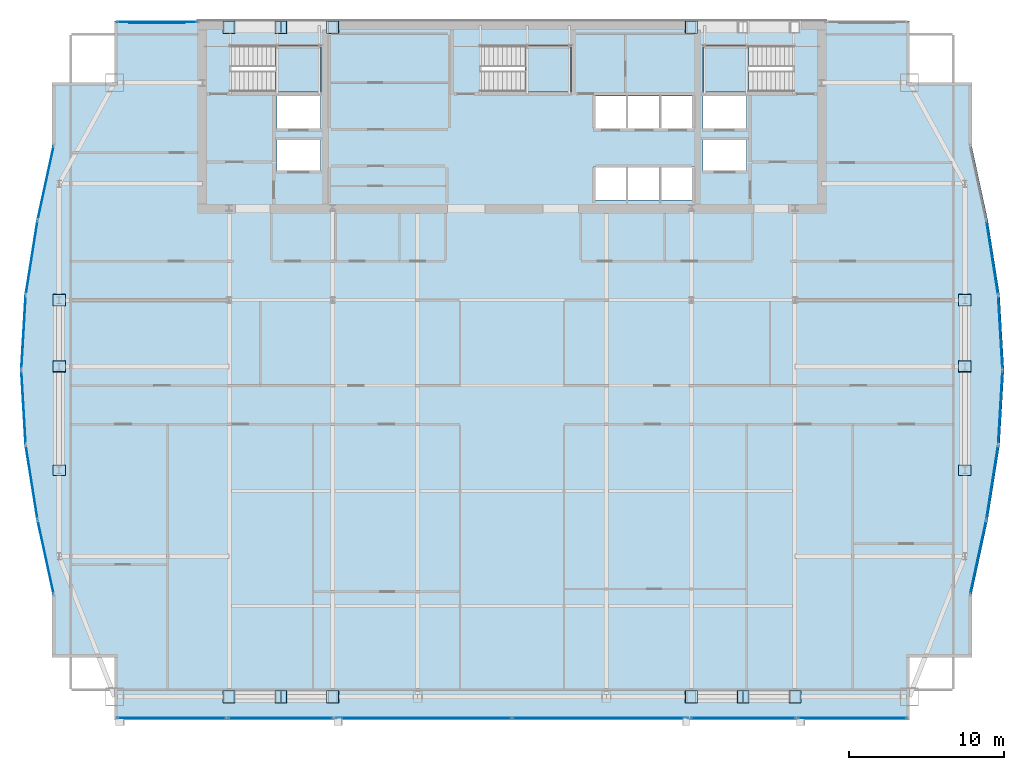
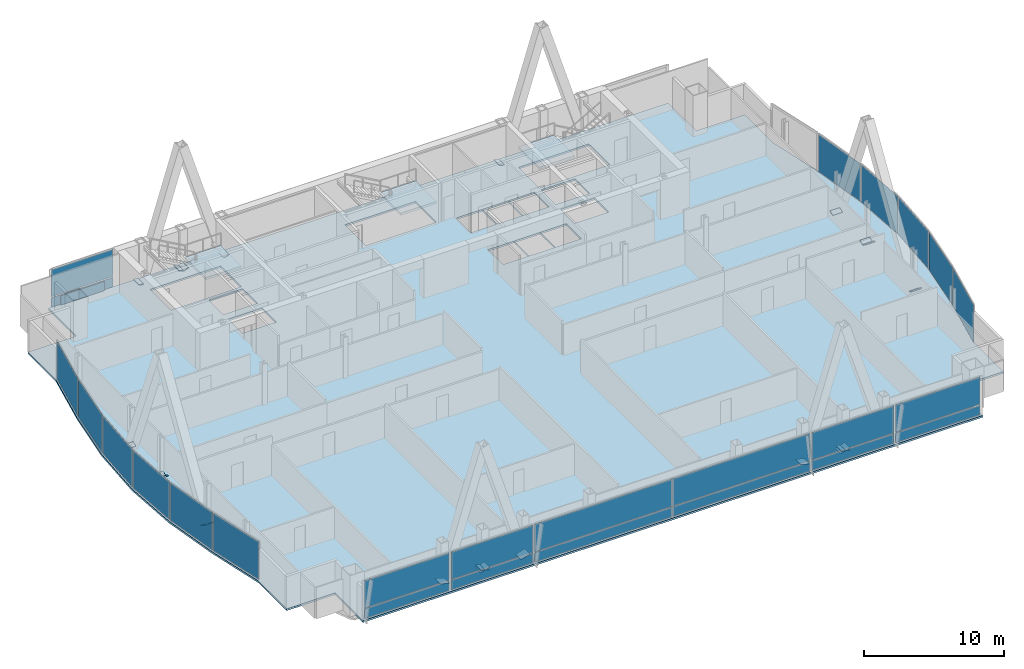
# One storey, part 27 of 33: 47 plates, 4 slabs, 20 elements without a shape of their own.
"""IFC4 building model written with IfcOpenShell, lengths in metres."""

from ifc_helpers import new_model, si_unit, direction, frame, origin, origin_2d, place, context, subcontext, project, spatial, polyline, rectangle, outline, extrude, material, layer, layer_set, type_object, element, aggregate, save


model = new_model("IFC4")

# Units and contexts
model_context = context("Model", 3, precision=1e-05, world=origin(), true_north=direction((0.0, 1.0)))
body_context = subcontext(model_context, "Body", "Model", "MODEL_VIEW")
ifc_project = project(units=[si_unit("LENGTHUNIT", "METRE"), si_unit("AREAUNIT", "SQUARE_METRE"), si_unit("VOLUMEUNIT", "CUBIC_METRE"), si_unit("PLANEANGLEUNIT", "RADIAN"), si_unit("MASSUNIT", "GRAM", prefix="KILO")], contexts=[model_context])

# Site, building, storey
site_placement = place(None, origin())
site = spatial("IfcSite", under=ifc_project, at=site_placement, CompositionType="ELEMENT")
building_placement = place(site_placement, origin())
building = spatial("IfcBuilding", under=site, at=building_placement, Name="Khoronbel Lancet Exchange", CompositionType="ELEMENT")
storey_placement = place(building_placement, frame((0.0, 0.0, 210.199951171875)))
storey = spatial("IfcBuildingStorey", under=building, at=storey_placement, Name="L53", CompositionType="ELEMENT", Elevation=210.199951171875)

# Curtain wall, plate
ifc_material_1 = material(Name="Low-E Solar Control Insulating Glass", Category="glass")
curtain_wall_type_1 = type_object("IfcCurtainWallType", Name="CW-4", PredefinedType="NOTDEFINED", material=ifc_material_1)
curtain_wall_1_placement = place(storey_placement, origin())
curtain_wall_1 = element("IfcCurtainWall", 1, at=curtain_wall_1_placement, inside=storey, type_object=curtain_wall_type_1, Name="Unitised curtain wall CW-L53-E05", PredefinedType="NOTDEFINED")
ifc_material_2 = material(Name="Bronze-Anodised Aluminium 6063-T6", Category="aluminium")
ifc_layer_1 = layer(ifc_material_2, 0.050048828125, Name="Bronze-Anodised Aluminium 6063-T6")
ifc_layer_set_1 = layer_set([ifc_layer_1], Name="Bronze-Anodised Aluminium 6063-T6")
plate_type_1 = type_object("IfcPlateType", Name="PLT-CSP1", PredefinedType="SHEET", material=ifc_layer_set_1)
plate_1_placement = place(storey_placement, frame((5.50732421875, 23.963134765625, 0.0849609375), z_axis=(0.0, 0.0, 1.0), x_axis=(-0.156785286236, 0.987632712105, 0.0)))
plate_1 = element("IfcPlate", 2, at=plate_1_placement, type_object=plate_type_1, Name="CW4 panel 1.1", PredefinedType="CURTAIN_PANEL", context=body_context, shape_type="SweptSolid", body=[
    extrude(rectangle(XDim=4.73681640625, YDim=0.0380859375, at=origin_2d()), origin(), (0.0, 0.0, 1.0), 3.27001953125),
])
aggregate(curtain_wall_1, [plate_1])

curtain_wall_2_placement = place(storey_placement, origin())
curtain_wall_2 = element("IfcCurtainWall", 3, at=curtain_wall_2_placement, inside=storey, type_object=curtain_wall_type_1, Name="Unitised curtain wall CW-L53-E06", PredefinedType="NOTDEFINED")
plate_2_placement = place(storey_placement, frame((4.984130859375, 28.7880859375, 0.0849609375), z_axis=(0.0, 0.0, 1.0), x_axis=(-0.05799163338, 0.998317069101, 0.0)))
plate_2 = element("IfcPlate", 4, at=plate_2_placement, type_object=plate_type_1, Name="CW4 panel 1.1", PredefinedType="CURTAIN_PANEL", context=body_context, shape_type="SweptSolid", body=[
    extrude(rectangle(XDim=4.681640625, YDim=0.0380859375, at=origin_2d()), origin(), (0.0, 0.0, 1.0), 3.27001953125),
])
aggregate(curtain_wall_2, [plate_2])

curtain_wall_3_placement = place(storey_placement, origin())
curtain_wall_3 = element("IfcCurtainWall", 5, at=curtain_wall_3_placement, inside=storey, type_object=curtain_wall_type_1, Name="Unitised curtain wall CW-L53-E07", PredefinedType="NOTDEFINED")
plate_3_placement = place(storey_placement, frame((4.984130859375, 33.61181640625, 0.0849609375), z_axis=(0.0, 0.0, 1.0), x_axis=(0.05799163338, 0.998317069101, 0.0)))
plate_3 = element("IfcPlate", 6, at=plate_3_placement, type_object=plate_type_1, Name="CW4 panel 1.1", PredefinedType="CURTAIN_PANEL", context=body_context, shape_type="SweptSolid", body=[
    extrude(rectangle(XDim=4.681640625, YDim=0.0380859375, at=origin_2d()), origin(), (0.0, 0.0, 1.0), 3.27001953125),
])
aggregate(curtain_wall_3, [plate_3])

curtain_wall_4_placement = place(storey_placement, origin())
curtain_wall_4 = element("IfcCurtainWall", 7, at=curtain_wall_4_placement, inside=storey, type_object=curtain_wall_type_1, Name="Unitised curtain wall CW-L53-E08", PredefinedType="NOTDEFINED")
plate_4_placement = place(storey_placement, frame((5.50732421875, 38.436767578125, 0.0849609375), z_axis=(0.0, 0.0, 1.0), x_axis=(0.156785286236, 0.987632712105, 0.0)))
plate_4 = element("IfcPlate", 8, at=plate_4_placement, type_object=plate_type_1, Name="CW4 panel 1.1", PredefinedType="CURTAIN_PANEL", context=body_context, shape_type="SweptSolid", body=[
    extrude(rectangle(XDim=4.73681640625, YDim=0.0380859375, at=origin_2d()), origin(), (0.0, 0.0, 1.0), 3.27001953125),
])
aggregate(curtain_wall_4, [plate_4])

curtain_wall_type_2 = type_object("IfcCurtainWallType", Name="CW-3", PredefinedType="NOTDEFINED", material=ifc_material_1)
curtain_wall_5_placement = place(storey_placement, origin())
curtain_wall_5 = element("IfcCurtainWall", 9, at=curtain_wall_5_placement, inside=storey, type_object=curtain_wall_type_2, Name="Unitised curtain wall CW-L53-NWFLK", PredefinedType="NOTDEFINED")
plate_5_placement = place(storey_placement, frame((13.580078125, 53.550048828125, 0.0498046875), z_axis=(0.0, 0.0, 1.0), x_axis=(-1.0, 0.0, 0.0)))
plate_5 = element("IfcPlate", 10, at=plate_5_placement, type_object=plate_type_1, Name="Insulated bronze spandrel cassette CW-L53-NWFLK", PredefinedType="SHEET", context=body_context, shape_type="SweptSolid", body=[
    extrude(rectangle(XDim=3.60009765625, YDim=0.050048828125, at=origin_2d()), origin(), (0.0, 0.0, 1.0), 0.800048828125),
])

curtain_wall_6_placement = place(storey_placement, origin())
curtain_wall_6 = element("IfcCurtainWall", 11, at=curtain_wall_6_placement, inside=storey, type_object=curtain_wall_type_1, Name="Unitised curtain wall CW-L53-E18", PredefinedType="NOTDEFINED")
plate_6_placement = place(storey_placement, frame((67.392578125, 38.436767578125, 0.0849609375), z_axis=(0.0, 0.0, 1.0), x_axis=(0.156785286236, -0.987632712105, 0.0)))
plate_6 = element("IfcPlate", 12, at=plate_6_placement, type_object=plate_type_1, Name="CW4 panel 1.1", PredefinedType="CURTAIN_PANEL", context=body_context, shape_type="SweptSolid", body=[
    extrude(rectangle(XDim=4.73681640625, YDim=0.0380859375, at=origin_2d()), origin(), (0.0, 0.0, 1.0), 3.27001953125),
])
aggregate(curtain_wall_6, [plate_6])

curtain_wall_7_placement = place(storey_placement, origin())
curtain_wall_7 = element("IfcCurtainWall", 13, at=curtain_wall_7_placement, inside=storey, type_object=curtain_wall_type_1, Name="Unitised curtain wall CW-L53-E19", PredefinedType="NOTDEFINED")
plate_7_placement = place(storey_placement, frame((67.916015625, 33.61181640625, 0.0849609375), z_axis=(0.0, 0.0, 1.0), x_axis=(0.05799163338, -0.998317069101, 0.0)))
plate_7 = element("IfcPlate", 14, at=plate_7_placement, type_object=plate_type_1, Name="CW4 panel 1.1", PredefinedType="CURTAIN_PANEL", context=body_context, shape_type="SweptSolid", body=[
    extrude(rectangle(XDim=4.681640625, YDim=0.0380859375, at=origin_2d()), origin(), (0.0, 0.0, 1.0), 3.27001953125),
])
aggregate(curtain_wall_7, [plate_7])

curtain_wall_8_placement = place(storey_placement, origin())
curtain_wall_8 = element("IfcCurtainWall", 15, at=curtain_wall_8_placement, inside=storey, type_object=curtain_wall_type_1, Name="Unitised curtain wall CW-L53-E20", PredefinedType="NOTDEFINED")
plate_8_placement = place(storey_placement, frame((67.916015625, 28.7880859375, 0.0849609375), z_axis=(0.0, 0.0, 1.0), x_axis=(-0.05799163338, -0.998317069101, 0.0)))
plate_8 = element("IfcPlate", 16, at=plate_8_placement, type_object=plate_type_1, Name="CW4 panel 1.1", PredefinedType="CURTAIN_PANEL", context=body_context, shape_type="SweptSolid", body=[
    extrude(rectangle(XDim=4.681640625, YDim=0.0380859375, at=origin_2d()), origin(), (0.0, 0.0, 1.0), 3.27001953125),
])
aggregate(curtain_wall_8, [plate_8])

curtain_wall_9_placement = place(storey_placement, origin())
curtain_wall_9 = element("IfcCurtainWall", 17, at=curtain_wall_9_placement, inside=storey, type_object=curtain_wall_type_1, Name="Unitised curtain wall CW-L53-E21", PredefinedType="NOTDEFINED")
plate_9_placement = place(storey_placement, frame((67.392578125, 23.963134765625, 0.0849609375), z_axis=(0.0, 0.0, 1.0), x_axis=(-0.156785286236, -0.987632712105, 0.0)))
plate_9 = element("IfcPlate", 18, at=plate_9_placement, type_object=plate_type_1, Name="CW4 panel 1.1", PredefinedType="CURTAIN_PANEL", context=body_context, shape_type="SweptSolid", body=[
    extrude(rectangle(XDim=4.73681640625, YDim=0.0380859375, at=origin_2d()), origin(), (0.0, 0.0, 1.0), 3.27001953125),
])
aggregate(curtain_wall_9, [plate_9])

# Curtain wall, plates
curtain_wall_10_placement = place(storey_placement, origin())
curtain_wall_10 = element("IfcCurtainWall", 19, at=curtain_wall_10_placement, inside=storey, type_object=curtain_wall_type_2, Name="Unitised curtain wall CW-L53-SWB", PredefinedType="NOTDEFINED")
plate_10_placement = place(storey_placement, frame((21.550048828125, 8.7900390625, 0.0849609375), z_axis=(0.0, 0.0, 1.0), x_axis=(1.0, 0.0, 0.0)))
plate_10 = element("IfcPlate", 20, at=plate_10_placement, type_object=plate_type_1, Name="CW3 panel 1.1", PredefinedType="CURTAIN_PANEL", context=body_context, shape_type="SweptSolid", body=[
    extrude(rectangle(XDim=6.72998046875, YDim=0.0380859375, at=origin_2d()), origin(), (0.0, 0.0, 1.0), 0.822509765625),
])
plate_11_placement = place(storey_placement, frame((21.550048828125, 8.7900390625, 0.99267578125), z_axis=(0.0, 0.0, 1.0), x_axis=(1.0, 0.0, 0.0)))
plate_11 = element("IfcPlate", 21, at=plate_11_placement, type_object=plate_type_1, Name="CW3 panel 1.2", PredefinedType="CURTAIN_PANEL", context=body_context, shape_type="SweptSolid", body=[
    extrude(rectangle(XDim=6.72998046875, YDim=0.0380859375, at=origin_2d()), origin(), (0.0, 0.0, 1.0), 2.362548828125),
])
aggregate(curtain_wall_10, [plate_10, plate_11])

curtain_wall_11_placement = place(storey_placement, origin())
curtain_wall_11 = element("IfcCurtainWall", 22, at=curtain_wall_11_placement, inside=storey, type_object=curtain_wall_type_2, Name="Unitised curtain wall CW-L53-SEB", PredefinedType="NOTDEFINED")
plate_12_placement = place(storey_placement, frame((51.35009765625, 8.7900390625, 0.0849609375), z_axis=(0.0, 0.0, 1.0), x_axis=(1.0, 0.0, 0.0)))
plate_12 = element("IfcPlate", 23, at=plate_12_placement, type_object=plate_type_1, Name="CW3 panel 1.1", PredefinedType="CURTAIN_PANEL", context=body_context, shape_type="SweptSolid", body=[
    extrude(rectangle(XDim=6.72998046875, YDim=0.0380859375, at=origin_2d()), origin(), (0.0, 0.0, 1.0), 0.822509765625),
])
plate_13_placement = place(storey_placement, frame((51.35009765625, 8.7900390625, 0.99267578125), z_axis=(0.0, 0.0, 1.0), x_axis=(1.0, 0.0, 0.0)))
plate_13 = element("IfcPlate", 24, at=plate_13_placement, type_object=plate_type_1, Name="CW3 panel 1.2", PredefinedType="CURTAIN_PANEL", context=body_context, shape_type="SweptSolid", body=[
    extrude(rectangle(XDim=6.72998046875, YDim=0.0380859375, at=origin_2d()), origin(), (0.0, 0.0, 1.0), 2.362548828125),
])
aggregate(curtain_wall_11, [plate_12, plate_13])

# Plate
ifc_layer_2 = layer(ifc_material_1, 0.035888671875, Name="Low-E Solar Control Insulating Glass")
ifc_layer_set_2 = layer_set([ifc_layer_2], Name="Low-E Solar Control Insulating Glass")
plate_type_2 = type_object("IfcPlateType", Name="PLT-CWP1", PredefinedType="CURTAIN_PANEL", material=ifc_layer_set_2)
plate_14_placement = place(storey_placement, frame((13.580078125, 53.610107421875, 0.0849609375), z_axis=(0.0, 0.0, 1.0), x_axis=(-1.0, 0.0, 0.0)))
plate_14 = element("IfcPlate", 25, at=plate_14_placement, type_object=plate_type_2, Name="CW3 panel 1.1", PredefinedType="CURTAIN_PANEL", context=body_context, shape_type="SweptSolid", body=[
    extrude(rectangle(XDim=5.110107421875, YDim=0.0380859375, at=origin_2d()), origin(), (0.0, 0.0, 1.0), 0.822509765625),
])

plate_15_placement = place(storey_placement, frame((13.580078125, 53.610107421875, 0.99267578125), z_axis=(0.0, 0.0, 1.0), x_axis=(-1.0, 0.0, 0.0)))
plate_15 = element("IfcPlate", 26, at=plate_15_placement, type_object=plate_type_2, Name="CW3 panel 1.2", PredefinedType="CURTAIN_PANEL", context=body_context, shape_type="SweptSolid", body=[
    extrude(rectangle(XDim=5.110107421875, YDim=0.0380859375, at=origin_2d()), origin(), (0.0, 0.0, 1.0), 2.362548828125),
])

aggregate(curtain_wall_5, [plate_14, plate_15, plate_5])

# Curtain wall, plates
curtain_wall_12_placement = place(storey_placement, origin())
curtain_wall_12 = element("IfcCurtainWall", 27, at=curtain_wall_12_placement, inside=storey, type_object=curtain_wall_type_2, Name="Unitised curtain wall CW-L53-SWV", PredefinedType="NOTDEFINED")
plate_16_placement = place(storey_placement, frame((14.52001953125, 8.7900390625, 0.0849609375), z_axis=(0.0, 0.0, 1.0), x_axis=(1.0, 0.0, 0.0)))
plate_16 = element("IfcPlate", 28, at=plate_16_placement, type_object=plate_type_2, Name="CW3 panel 1.1", PredefinedType="CURTAIN_PANEL", context=body_context, shape_type="SweptSolid", body=[
    extrude(rectangle(XDim=6.989990234375, YDim=0.0380859375, at=origin_2d()), origin(), (0.0, 0.0, 1.0), 0.822509765625),
])
plate_17_placement = place(storey_placement, frame((14.52001953125, 8.7900390625, 0.99267578125), z_axis=(0.0, 0.0, 1.0), x_axis=(1.0, 0.0, 0.0)))
plate_17 = element("IfcPlate", 29, at=plate_17_placement, type_object=plate_type_2, Name="CW3 panel 1.2", PredefinedType="CURTAIN_PANEL", context=body_context, shape_type="SweptSolid", body=[
    extrude(rectangle(XDim=6.989990234375, YDim=0.0380859375, at=origin_2d()), origin(), (0.0, 0.0, 1.0), 2.362548828125),
])
aggregate(curtain_wall_12, [plate_16, plate_17])

curtain_wall_13_placement = place(storey_placement, origin())
curtain_wall_13 = element("IfcCurtainWall", 30, at=curtain_wall_13_placement, inside=storey, type_object=curtain_wall_type_2, Name="Unitised curtain wall CW-L53-SCV", PredefinedType="NOTDEFINED")
plate_18_placement = place(storey_placement, frame((30.746337890625, 8.7900390625, 0.0849609375), z_axis=(0.0, 0.0, 1.0), x_axis=(1.0, 0.0, 0.0)))
plate_18 = element("IfcPlate", 31, at=plate_18_placement, type_object=plate_type_2, Name="CW3 panel 1.1", PredefinedType="CURTAIN_PANEL", context=body_context, shape_type="SweptSolid", body=[
    extrude(rectangle(XDim=11.322509765625, YDim=0.0380859375, at=origin_2d()), origin(), (0.0, 0.0, 1.0), 0.822509765625),
])
plate_19_placement = place(storey_placement, frame((30.746337890625, 8.7900390625, 0.99267578125), z_axis=(0.0, 0.0, 1.0), x_axis=(1.0, 0.0, 0.0)))
plate_19 = element("IfcPlate", 32, at=plate_19_placement, type_object=plate_type_2, Name="CW3 panel 1.2", PredefinedType="CURTAIN_PANEL", context=body_context, shape_type="SweptSolid", body=[
    extrude(rectangle(XDim=11.322509765625, YDim=0.0380859375, at=origin_2d()), origin(), (0.0, 0.0, 1.0), 2.362548828125),
])
plate_20_placement = place(storey_placement, frame((42.15380859375, 8.7900390625, 0.0849609375), z_axis=(0.0, 0.0, 1.0), x_axis=(1.0, 0.0, 0.0)))
plate_20 = element("IfcPlate", 33, at=plate_20_placement, type_object=plate_type_2, Name="CW3 panel 2.1", PredefinedType="CURTAIN_PANEL", context=body_context, shape_type="SweptSolid", body=[
    extrude(rectangle(XDim=11.322509765625, YDim=0.0380859375, at=origin_2d()), origin(), (0.0, 0.0, 1.0), 0.822509765625),
])
plate_21_placement = place(storey_placement, frame((42.15380859375, 8.7900390625, 0.99267578125), z_axis=(0.0, 0.0, 1.0), x_axis=(1.0, 0.0, 0.0)))
plate_21 = element("IfcPlate", 34, at=plate_21_placement, type_object=plate_type_2, Name="CW3 panel 2.2", PredefinedType="CURTAIN_PANEL", context=body_context, shape_type="SweptSolid", body=[
    extrude(rectangle(XDim=11.322509765625, YDim=0.0380859375, at=origin_2d()), origin(), (0.0, 0.0, 1.0), 2.362548828125),
])
aggregate(curtain_wall_13, [plate_18, plate_19, plate_20, plate_21])

curtain_wall_14_placement = place(storey_placement, origin())
curtain_wall_14 = element("IfcCurtainWall", 35, at=curtain_wall_14_placement, inside=storey, type_object=curtain_wall_type_2, Name="Unitised curtain wall CW-L53-SEV", PredefinedType="NOTDEFINED")
plate_22_placement = place(storey_placement, frame((58.3798828125, 8.7900390625, 0.0849609375), z_axis=(0.0, 0.0, 1.0), x_axis=(1.0, 0.0, 0.0)))
plate_22 = element("IfcPlate", 36, at=plate_22_placement, type_object=plate_type_2, Name="CW3 panel 1.1", PredefinedType="CURTAIN_PANEL", context=body_context, shape_type="SweptSolid", body=[
    extrude(rectangle(XDim=6.989990234375, YDim=0.0380859375, at=origin_2d()), origin(), (0.0, 0.0, 1.0), 0.822509765625),
])
plate_23_placement = place(storey_placement, frame((58.3798828125, 8.7900390625, 0.99267578125), z_axis=(0.0, 0.0, 1.0), x_axis=(1.0, 0.0, 0.0)))
plate_23 = element("IfcPlate", 37, at=plate_23_placement, type_object=plate_type_2, Name="CW3 panel 1.2", PredefinedType="CURTAIN_PANEL", context=body_context, shape_type="SweptSolid", body=[
    extrude(rectangle(XDim=6.989990234375, YDim=0.0380859375, at=origin_2d()), origin(), (0.0, 0.0, 1.0), 2.362548828125),
])
aggregate(curtain_wall_14, [plate_22, plate_23])

# Curtain wall, plate
curtain_wall_15_placement = place(storey_placement, origin())
curtain_wall_15 = element("IfcCurtainWall", 38, at=curtain_wall_15_placement, inside=storey, type_object=curtain_wall_type_1, Name="Unitised curtain wall CW-L53-E04", PredefinedType="NOTDEFINED")
ifc_material_3 = material(Name="Ceramic-Fritted Laminated Insulating Glass", Category="glass")
ifc_layer_3 = layer(ifc_material_3, 0.0419921875, Name="Ceramic-Fritted Laminated Insulating Glass")
ifc_layer_set_3 = layer_set([ifc_layer_3], Name="Ceramic-Fritted Laminated Insulating Glass")
plate_type_3 = type_object("IfcPlateType", Name="PLT-CWP2", PredefinedType="CURTAIN_PANEL", material=ifc_layer_set_3)
plate_24_placement = place(storey_placement, frame((6.415283203125, 19.129638671875, 0.0849609375), z_axis=(0.0, 0.0, 1.0), x_axis=(-0.211920804489, 0.977286842552, 0.0)))
plate_24 = element("IfcPlate", 39, at=plate_24_placement, type_object=plate_type_3, Name="CW4 panel 1.1", PredefinedType="CURTAIN_PANEL", context=body_context, shape_type="SweptSolid", body=[
    extrude(rectangle(XDim=4.802734375, YDim=0.0380859375, at=origin_2d()), origin(), (0.0, 0.0, 1.0), 3.27001953125),
])
aggregate(curtain_wall_15, [plate_24])

curtain_wall_16_placement = place(storey_placement, origin())
curtain_wall_16 = element("IfcCurtainWall", 40, at=curtain_wall_16_placement, inside=storey, type_object=curtain_wall_type_1, Name="Unitised curtain wall CW-L53-E09", PredefinedType="NOTDEFINED")
plate_25_placement = place(storey_placement, frame((6.415283203125, 43.270263671875, 0.0849609375), z_axis=(0.0, 0.0, 1.0), x_axis=(0.211920804489, 0.977286842552, 0.0)))
plate_25 = element("IfcPlate", 41, at=plate_25_placement, type_object=plate_type_3, Name="CW4 panel 1.1", PredefinedType="CURTAIN_PANEL", context=body_context, shape_type="SweptSolid", body=[
    extrude(rectangle(XDim=4.802734375, YDim=0.0380859375, at=origin_2d()), origin(), (0.0, 0.0, 1.0), 3.27001953125),
])
aggregate(curtain_wall_16, [plate_25])

curtain_wall_17_placement = place(storey_placement, origin())
curtain_wall_17 = element("IfcCurtainWall", 42, at=curtain_wall_17_placement, inside=storey, type_object=curtain_wall_type_1, Name="Unitised curtain wall CW-L53-E22", PredefinedType="NOTDEFINED")
plate_26_placement = place(storey_placement, frame((66.48486328125, 19.129638671875, 0.0849609375), z_axis=(0.0, 0.0, 1.0), x_axis=(-0.211920804489, -0.977286842552, 0.0)))
plate_26 = element("IfcPlate", 43, at=plate_26_placement, type_object=plate_type_3, Name="CW4 panel 1.1", PredefinedType="CURTAIN_PANEL", context=body_context, shape_type="SweptSolid", body=[
    extrude(rectangle(XDim=4.802734375, YDim=0.0380859375, at=origin_2d()), origin(), (0.0, 0.0, 1.0), 3.27001953125),
])
aggregate(curtain_wall_17, [plate_26])

# Plates
ifc_material_4 = material(Name="Steel S460", Category="steel")
ifc_layer_4 = layer(ifc_material_4, 0.044921875, Name="Steel S460")
ifc_layer_set_4 = layer_set([ifc_layer_4], Name="Steel S460")
plate_type_4 = type_object("IfcPlateType", Name="PLT-ECP1", PredefinedType="USERDEFINED", material=ifc_layer_set_4)
for number, where, z_axis, x_axis, name in (
    (44, (21.954345703125, 9.75, -0.08642578125), (0.295179616828, 0.0, 0.955441779393), (0.0, 1.0, 0.0), "Hollow end cap plate PLT-CAP-MEM-MB-T17-S-W-L-1"),
    (45, (21.170654296875, 10.550048828125, -0.08642578125), (-0.295179616828, 0.0, 0.955441779393), (0.0, -1.0, 0.0), "Hollow end cap plate PLT-CAP-MEM-MB-T17-S-W-R-1"),
):
    element("IfcPlate", number, at=place(storey_placement, frame(where, z_axis=z_axis, x_axis=x_axis)), inside=storey, type_object=plate_type_4, Name=name, ObjectType="STIFFENER_PLATE", PredefinedType="USERDEFINED", context=body_context, shape_type="SweptSolid", body=[
        extrude(outline(polyline([(0.0, 0.0), (0.800048828125, 0.0), (0.800048828125, 0.7998046875), (0.0, 0.7998046875), (0.0, 0.0)])), origin(), (0.0, 0.0, -1.0), 0.044921875),
    ])
for number, where, z_axis, x_axis, name in (
    (46, (51.7294921875, 9.75, -0.08642578125), (0.295093551173, 0.0, 0.955468364759), (0.0, 1.0, 0.0), "Hollow end cap plate PLT-CAP-MEM-MB-T17-S-E-L-1"),
    (47, (50.945556640625, 10.550048828125, -0.08642578125), (-0.295093551173, 0.0, 0.955468364759), (0.0, -1.0, 0.0), "Hollow end cap plate PLT-CAP-MEM-MB-T17-S-E-R-1"),
):
    element("IfcPlate", number, at=place(storey_placement, frame(where, z_axis=z_axis, x_axis=x_axis)), inside=storey, type_object=plate_type_4, Name=name, ObjectType="STIFFENER_PLATE", PredefinedType="USERDEFINED", context=body_context, shape_type="SweptSolid", body=[
        extrude(outline(polyline([(0.0, 0.0), (0.800048828125, 0.0), (0.800048828125, 0.800048828125), (0.0, 0.800048828125), (0.0, 0.0)])), origin(), (0.0, 0.0, -1.0), 0.044921875),
    ])
for number, where, z_axis, x_axis, name in (
    (48, (21.954345703125, 52.8798828125, -0.08642578125), (0.295179616828, 0.0, 0.955441779393), (0.0, 1.0, 0.0), "Hollow end cap plate PLT-CAP-MEM-MB-T17-N-W-L-1"),
    (49, (21.170654296875, 53.679931640625, -0.08642578125), (-0.295179616828, 0.0, 0.955441779393), (0.0, -1.0, 0.0), "Hollow end cap plate PLT-CAP-MEM-MB-T17-N-W-R-1"),
):
    element("IfcPlate", number, at=place(storey_placement, frame(where, z_axis=z_axis, x_axis=x_axis)), inside=storey, type_object=plate_type_4, Name=name, ObjectType="STIFFENER_PLATE", PredefinedType="USERDEFINED", context=body_context, shape_type="SweptSolid", body=[
        extrude(outline(polyline([(0.0, 0.0), (0.800048828125, 0.0), (0.800048828125, 0.7998046875), (0.0, 0.7998046875), (0.0, 0.0)])), origin(), (0.0, 0.0, -1.0), 0.044921875),
    ])
plate_27_placement = place(storey_placement, frame((7.669921875, 31.78271484375, -0.18212890625), z_axis=(0.0, 0.525713722958, 0.850661555199), x_axis=(-1.0, 0.0, 0.0)))
element("IfcPlate", 50, at=plate_27_placement, inside=storey, type_object=plate_type_4, Name="Hollow end cap plate PLT-CAP-MEM-MB-T17-W-P-L-1", ObjectType="STIFFENER_PLATE", PredefinedType="USERDEFINED", context=body_context, shape_type="SweptSolid", body=[
    extrude(outline(polyline([(0.0, 0.0), (0.7998046875, 0.0), (0.7998046875, 0.800048828125), (0.0, 0.800048828125), (0.0, 0.0)])), origin(), (0.0, 0.0, -1.0), 0.044921875),
])
plate_28_placement = place(storey_placement, frame((6.8701171875, 31.041015625, -0.116455078125), z_axis=(0.0, -0.368125419582, 0.929776142659), x_axis=(1.0, 0.0, 0.0)))
element("IfcPlate", 51, at=plate_28_placement, inside=storey, type_object=plate_type_4, Name="Hollow end cap plate PLT-CAP-MEM-MB-T17-W-P-R-1", ObjectType="STIFFENER_PLATE", PredefinedType="USERDEFINED", context=body_context, shape_type="SweptSolid", body=[
    extrude(outline(polyline([(0.0, 0.0), (0.7998046875, 0.0), (0.7998046875, 0.7998046875), (0.0, 0.7998046875), (0.0, 0.0)])), origin(), (0.0, 0.0, -1.0), 0.044921875),
])
plate_29_placement = place(storey_placement, frame((66.030029296875, 31.78271484375, -0.18212890625), z_axis=(0.0, 0.525713722958, 0.850661555199), x_axis=(-1.0, 0.0, 0.0)))
element("IfcPlate", 52, at=plate_29_placement, inside=storey, type_object=plate_type_4, Name="Hollow end cap plate PLT-CAP-MEM-MB-T17-E-P-L-1", ObjectType="STIFFENER_PLATE", PredefinedType="USERDEFINED", context=body_context, shape_type="SweptSolid", body=[
    extrude(outline(polyline([(0.0, 0.0), (0.800048828125, 0.0), (0.800048828125, 0.800048828125), (0.0, 0.800048828125), (0.0, 0.0)])), origin(), (0.0, 0.0, -1.0), 0.044921875),
])
for number, where, z_axis, x_axis, name in (
    (53, (65.22998046875, 31.041015625, -0.116455078125), (0.0, -0.368125419582, 0.929776142659), (1.0, 0.0, 0.0), "Hollow end cap plate PLT-CAP-MEM-MB-T17-E-P-R-1"),
    (54, (18.610595703125, 9.75, -0.106689453125), (0.295458235126, 0.0, 0.955355656966), (0.0, 1.0, 0.0), "Hollow end cap plate PLT-CAP-MEM-MB-T18-S-W-L-0"),
    (55, (24.514404296875, 10.550048828125, -0.106689453125), (-0.295458235126, 0.0, 0.955355656966), (0.0, -1.0, 0.0), "Hollow end cap plate PLT-CAP-MEM-MB-T18-S-W-R-0"),
):
    element("IfcPlate", number, at=place(storey_placement, frame(where, z_axis=z_axis, x_axis=x_axis)), inside=storey, type_object=plate_type_4, Name=name, ObjectType="STIFFENER_PLATE", PredefinedType="USERDEFINED", context=body_context, shape_type="SweptSolid", body=[
        extrude(outline(polyline([(0.0, 0.0), (0.800048828125, 0.0), (0.800048828125, 0.7998046875), (0.0, 0.7998046875), (0.0, 0.0)])), origin(), (0.0, 0.0, -1.0), 0.044921875),
    ])
for number, where, z_axis, x_axis, name in (
    (56, (48.3857421875, 9.75, -0.106689453125), (0.295372103756, 0.0, 0.955382290145), (0.0, 1.0, 0.0), "Hollow end cap plate PLT-CAP-MEM-MB-T18-S-E-L-0"),
    (57, (54.289306640625, 10.550048828125, -0.106689453125), (-0.295372103756, 0.0, 0.955382290145), (0.0, -1.0, 0.0), "Hollow end cap plate PLT-CAP-MEM-MB-T18-S-E-R-0"),
):
    element("IfcPlate", number, at=place(storey_placement, frame(where, z_axis=z_axis, x_axis=x_axis)), inside=storey, type_object=plate_type_4, Name=name, ObjectType="STIFFENER_PLATE", PredefinedType="USERDEFINED", context=body_context, shape_type="SweptSolid", body=[
        extrude(outline(polyline([(0.0, 0.0), (0.800048828125, 0.0), (0.800048828125, 0.800048828125), (0.0, 0.800048828125), (0.0, 0.0)])), origin(), (0.0, 0.0, -1.0), 0.044921875),
    ])
for number, where, z_axis, x_axis, name in (
    (58, (18.610595703125, 52.8798828125, -0.106689453125), (0.295458235126, 0.0, 0.955355656966), (0.0, 1.0, 0.0), "Hollow end cap plate PLT-CAP-MEM-MB-T18-N-W-L-0"),
    (59, (24.514404296875, 53.679931640625, -0.106689453125), (-0.295458235126, 0.0, 0.955355656966), (0.0, -1.0, 0.0), "Hollow end cap plate PLT-CAP-MEM-MB-T18-N-W-R-0"),
):
    element("IfcPlate", number, at=place(storey_placement, frame(where, z_axis=z_axis, x_axis=x_axis)), inside=storey, type_object=plate_type_4, Name=name, ObjectType="STIFFENER_PLATE", PredefinedType="USERDEFINED", context=body_context, shape_type="SweptSolid", body=[
        extrude(outline(polyline([(0.0, 0.0), (0.800048828125, 0.0), (0.800048828125, 0.7998046875), (0.0, 0.7998046875), (0.0, 0.0)])), origin(), (0.0, 0.0, -1.0), 0.044921875),
    ])
plate_30_placement = place(storey_placement, frame((48.3857421875, 52.8798828125, -0.106689453125), z_axis=(0.295372103756, 0.0, 0.955382290145), x_axis=(0.0, 1.0, 0.0)))
element("IfcPlate", 60, at=plate_30_placement, inside=storey, type_object=plate_type_4, Name="Hollow end cap plate PLT-CAP-MEM-MB-T18-N-E-L-0", ObjectType="STIFFENER_PLATE", PredefinedType="USERDEFINED", context=body_context, shape_type="SweptSolid", body=[
    extrude(outline(polyline([(0.0, 0.0), (0.800048828125, 0.0), (0.800048828125, 0.800048828125), (0.0, 0.800048828125), (0.0, 0.0)])), origin(), (0.0, 0.0, -1.0), 0.044921875),
])
for number, where, z_axis, x_axis, name in (
    (61, (7.669921875, 25.0966796875, -0.199951171875), (0.0, 0.525492880722, 0.850797997359), (-1.0, 0.0, 0.0), "Hollow end cap plate PLT-CAP-MEM-MB-T18-W-P-L-0"),
    (62, (6.8701171875, 35.32373046875, -0.135986328125), (0.0, -0.368020969419, 0.92981749073), (1.0, 0.0, 0.0), "Hollow end cap plate PLT-CAP-MEM-MB-T18-W-P-R-0"),
):
    element("IfcPlate", number, at=place(storey_placement, frame(where, z_axis=z_axis, x_axis=x_axis)), inside=storey, type_object=plate_type_4, Name=name, ObjectType="STIFFENER_PLATE", PredefinedType="USERDEFINED", context=body_context, shape_type="SweptSolid", body=[
        extrude(outline(polyline([(0.0, 0.0), (0.7998046875, 0.0), (0.7998046875, 0.800048828125), (0.0, 0.800048828125), (0.0, 0.0)])), origin(), (0.0, 0.0, -1.0), 0.044921875),
    ])
for number, where, z_axis, x_axis, name in (
    (63, (66.030029296875, 25.0966796875, -0.199951171875), (0.0, 0.525492880722, 0.850797997359), (-1.0, 0.0, 0.0), "Hollow end cap plate PLT-CAP-MEM-MB-T18-E-P-L-0"),
    (64, (65.22998046875, 35.32373046875, -0.135986328125), (0.0, -0.368020969419, 0.92981749073), (1.0, 0.0, 0.0), "Hollow end cap plate PLT-CAP-MEM-MB-T18-E-P-R-0"),
):
    element("IfcPlate", number, at=place(storey_placement, frame(where, z_axis=z_axis, x_axis=x_axis)), inside=storey, type_object=plate_type_4, Name=name, ObjectType="STIFFENER_PLATE", PredefinedType="USERDEFINED", context=body_context, shape_type="SweptSolid", body=[
        extrude(outline(polyline([(0.0, 0.0), (0.800048828125, 0.0), (0.800048828125, 0.800048828125), (0.0, 0.800048828125), (0.0, 0.0)])), origin(), (0.0, 0.0, -1.0), 0.044921875),
    ])

# Slab
ifc_material_5 = material(Name="Concrete C40/50", Category="concrete")
ifc_layer_5 = layer(ifc_material_5, 0.159912109375, Name="Concrete C40/50")
ifc_layer_set_5 = layer_set([ifc_layer_5], Name="Concrete C40/50")
slab_type_1 = type_object("IfcSlabType", Name="SL-FL160", PredefinedType="FLOOR", material=ifc_layer_set_5)
slab_1_placement = place(storey_placement, frame((0.0, 0.0, -0.159912109375)))
element("IfcSlab", 65, at=slab_1_placement, inside=storey, type_object=slab_type_1, Name="Level L53 composite structural floor slab", PredefinedType="FLOOR", context=body_context, shape_type="SweptSolid", body=[
    extrude(outline(polyline([(10.85009765625, 8.699951171875), (62.050048828125, 8.699951171875), (62.050048828125, 12.699951171875), (66.050048828125, 12.699951171875), (66.050048828125, 16.699951171875), (67.09814453125, 21.533203125), (67.865478515625, 26.36669921875), (68.146240234375, 31.199951171875), (67.865478515625, 36.033203125), (67.09814453125, 40.86669921875), (66.050048828125, 45.699951171875), (66.050048828125, 49.699951171875), (62.050048828125, 49.699951171875), (62.050048828125, 53.699951171875), (10.85009765625, 53.699951171875), (10.85009765625, 49.699951171875), (6.85009765625, 49.699951171875), (6.85009765625, 45.699951171875), (5.802001953125, 40.86669921875), (5.03466796875, 36.033203125), (4.75390625, 31.199951171875), (5.03466796875, 26.36669921875), (5.802001953125, 21.533203125), (6.85009765625, 16.699951171875), (6.85009765625, 12.699951171875), (10.85009765625, 12.699951171875), (10.85009765625, 8.699951171875)]), holes=[polyline([(18.324951171875, 49.1201171875), (24.14990234375, 49.1201171875), (24.14990234375, 52.10009765625), (18.324951171875, 52.10009765625), (18.324951171875, 49.1201171875)]), polyline([(48.75, 49.1201171875), (54.574951171875, 49.1201171875), (54.574951171875, 52.10009765625), (48.75, 52.10009765625), (48.75, 49.1201171875)]), polyline([(34.425048828125, 49.1201171875), (40.25, 49.1201171875), (40.25, 52.10009765625), (34.425048828125, 52.10009765625), (34.425048828125, 49.1201171875)]), polyline([(41.739990234375, 46.75), (43.8798828125, 46.75), (43.8798828125, 48.85009765625), (41.739990234375, 48.85009765625), (41.739990234375, 46.75)]), polyline([(43.89990234375, 46.75), (46.0400390625, 46.75), (46.0400390625, 48.85009765625), (43.89990234375, 48.85009765625), (43.89990234375, 46.75)]), polyline([(46.06005859375, 46.75), (48.199951171875, 46.75), (48.199951171875, 48.85009765625), (46.06005859375, 48.85009765625), (46.06005859375, 46.75)]), polyline([(41.739990234375, 42.14990234375), (43.8798828125, 42.14990234375), (43.8798828125, 44.300048828125), (41.739990234375, 44.300048828125), (41.739990234375, 42.14990234375)]), polyline([(43.89990234375, 42.14990234375), (46.0400390625, 42.14990234375), (46.0400390625, 44.300048828125), (43.89990234375, 44.300048828125), (43.89990234375, 42.14990234375)]), polyline([(46.06005859375, 42.14990234375), (48.199951171875, 42.14990234375), (48.199951171875, 44.300048828125), (46.06005859375, 44.300048828125), (46.06005859375, 42.14990234375)]), polyline([(21.300048828125, 46.75), (24.10009765625, 46.75), (24.10009765625, 48.85009765625), (21.300048828125, 48.85009765625), (21.300048828125, 46.75)]), polyline([(48.75, 46.75), (51.550048828125, 46.75), (51.550048828125, 48.85009765625), (48.75, 48.85009765625), (48.75, 46.75)]), polyline([(21.300048828125, 44.050048828125), (24.10009765625, 44.050048828125), (24.10009765625, 46.050048828125), (21.300048828125, 46.050048828125), (21.300048828125, 44.050048828125)]), polyline([(48.75, 44.050048828125), (51.550048828125, 44.050048828125), (51.550048828125, 46.050048828125), (48.75, 46.050048828125), (48.75, 44.050048828125)])]), origin(), (0.0, 0.0, 1.0), 0.159912109375),
])

# Stair, slab
stair_type = type_object("IfcStairType", Name="STR-CORE150", PredefinedType="HALF_TURN_STAIR", material=ifc_material_5)
stair_1_placement = place(storey_placement, origin())
stair_1 = element("IfcStair", 66, at=stair_1_placement, inside=storey, type_object=stair_type, Name="L53 Protected Exit Stair ST1", PredefinedType="HALF_TURN_STAIR")
ifc_layer_6 = layer(ifc_material_5, 0.199951171875, Name="Concrete C40/50")
ifc_layer_set_6 = layer_set([ifc_layer_6], Name="Concrete C40/50")
slab_type_2 = type_object("IfcSlabType", Name="SL-LND180", PredefinedType="LANDING", material=ifc_layer_set_6)
slab_2_placement = place(storey_placement, frame((0.0, 0.0, 1.60009765625)))
slab_2 = element("IfcSlab", 67, at=slab_2_placement, type_object=slab_type_2, Name="ST1 landing 1", PredefinedType="LANDING", context=body_context, shape_type="SweptSolid", body=[
    extrude(outline(polyline([(21.199951171875, 49.1201171875), (24.14990234375, 49.1201171875), (24.14990234375, 52.10009765625), (21.199951171875, 52.10009765625), (21.199951171875, 49.1201171875)])), origin(), (0.0, 0.0, 1.0), 0.199951171875),
])
aggregate(stair_1, [slab_2])

stair_2_placement = place(storey_placement, origin())
stair_2 = element("IfcStair", 68, at=stair_2_placement, inside=storey, type_object=stair_type, Name="L53 Protected Exit Stair ST2", PredefinedType="HALF_TURN_STAIR")
slab_3_placement = place(storey_placement, frame((0.0, 0.0, 1.60009765625)))
slab_3 = element("IfcSlab", 69, at=slab_3_placement, type_object=slab_type_2, Name="ST2 landing 1", PredefinedType="LANDING", context=body_context, shape_type="SweptSolid", body=[
    extrude(outline(polyline([(51.699951171875, 52.10009765625), (48.75, 52.10009765625), (48.75, 49.1201171875), (51.699951171875, 49.1201171875), (51.699951171875, 52.10009765625)])), origin(), (0.0, 0.0, 1.0), 0.199951171875),
])
aggregate(stair_2, [slab_3])

stair_3_placement = place(storey_placement, origin())
stair_3 = element("IfcStair", 70, at=stair_3_placement, inside=storey, type_object=stair_type, Name="L53 Protected Exit Stair ST3", PredefinedType="HALF_TURN_STAIR")
slab_4_placement = place(storey_placement, frame((0.0, 0.0, 1.60009765625)))
slab_4 = element("IfcSlab", 71, at=slab_4_placement, type_object=slab_type_2, Name="ST3 landing 1", PredefinedType="LANDING", context=body_context, shape_type="SweptSolid", body=[
    extrude(outline(polyline([(37.300048828125, 49.1201171875), (40.25, 49.1201171875), (40.25, 52.10009765625), (37.300048828125, 52.10009765625), (37.300048828125, 49.1201171875)])), origin(), (0.0, 0.0, 1.0), 0.199951171875),
])
aggregate(stair_3, [slab_4])

save(model, "model.ifc")
